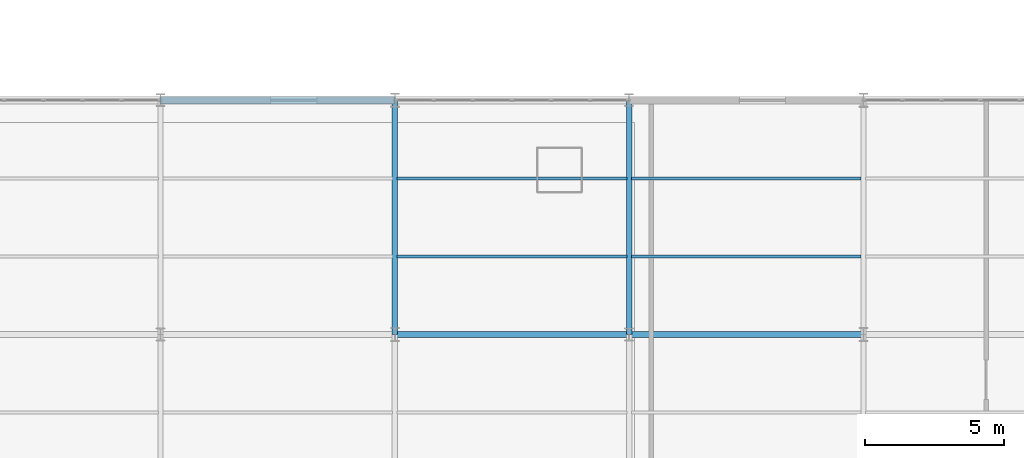
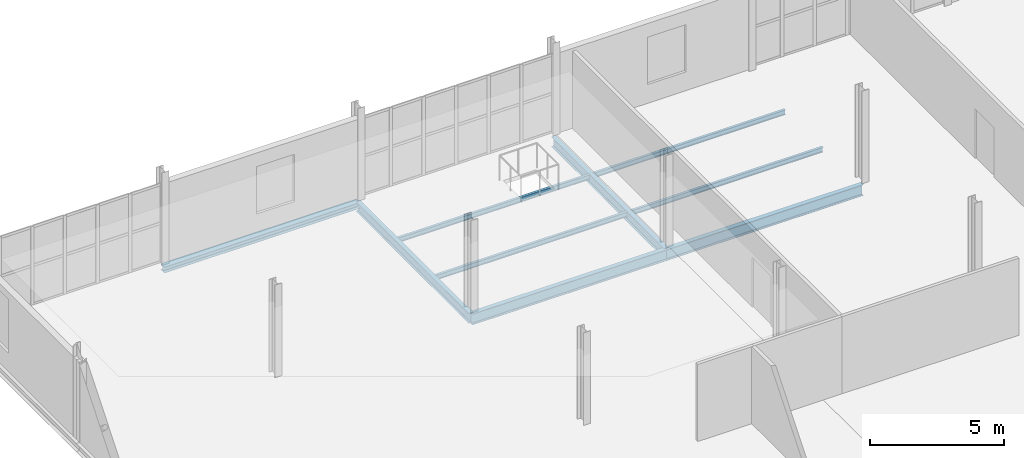
# One storey, part 26 of 65: 9 beams.
"""IFC4 building model written with IfcOpenShell, lengths in metres."""

from ifc_helpers import new_model, si_unit, direction, frame, origin, origin_2d, place, context, subcontext, project, spatial, i_section, extrude, material, material_profile, profile_set, type_object, element, save


model = new_model("IFC4")

# Units and contexts
model_context = context("Model", 3, precision=1e-05, world=origin(), true_north=direction((0.0, 1.0)))
body_context = subcontext(model_context, "Body", "Model", "MODEL_VIEW")
ifc_project = project(units=[si_unit("LENGTHUNIT", "METRE"), si_unit("AREAUNIT", "SQUARE_METRE"), si_unit("VOLUMEUNIT", "CUBIC_METRE"), si_unit("PLANEANGLEUNIT", "RADIAN"), si_unit("MASSUNIT", "GRAM", prefix="KILO")], contexts=[model_context])

# Site, building, storey
site_placement = place(None, origin())
site = spatial("IfcSite", under=ifc_project, at=site_placement, CompositionType="ELEMENT")
building_placement = place(site_placement, origin())
building = spatial("IfcBuilding", under=site, at=building_placement, Name="Qalvenar Corner Mobility Hub", CompositionType="ELEMENT")
storey_placement = place(building_placement, frame((0.0, 0.0, 17.39990234375)))
storey = spatial("IfcBuildingStorey", under=building, at=storey_placement, Name="L04", CompositionType="ELEMENT", Elevation=17.39990234375)

# Beams
ifc_material = material(Name="Steel S355", Category="steel")
ifc_material_profile_1 = material_profile(ifc_material, i_section(OverallWidth=0.18994140625, OverallDepth=0.449951171875, WebThickness=0.009521484375, FlangeThickness=0.0146484375, FilletRadius=0.02099609375, at=origin_2d()), Name="IPE450")
ifc_profile_set_1 = profile_set([ifc_material_profile_1], Name="Steel S355")
beam_type_1 = type_object("IfcBeamType", Name="BM-IPE450", PredefinedType="BEAM", material=ifc_profile_set_1)
for number, where, z_axis, x_axis, name in (
    (1, (16.800048828125, 33.60009765625, -0.40478515625), (0.0, 1.0, 0.0), (-1.0, 0.0, 0.0), "Primary Steel Girder GY-2641"),
    (2, (25.199951171875, 33.60009765625, -0.40478515625), (0.0, 1.0, 0.0), (-1.0, 0.0, 0.0), "Primary Steel Girder GY-2646"),
):
    element("IfcBeam", number, at=place(storey_placement, frame(where, z_axis=z_axis, x_axis=x_axis)), inside=storey, type_object=beam_type_1, Name=name, PredefinedType="BEAM", context=body_context, shape_type="SweptSolid", body=[
        extrude(i_section(OverallWidth=0.18994140625, OverallDepth=0.449951171875, WebThickness=0.009521484375, FlangeThickness=0.0146484375, FilletRadius=0.02099609375, at=origin_2d()), origin(), (0.0, 0.0, 1.0), 8.39990234375),
    ])
ifc_material_profile_2 = material_profile(ifc_material, i_section(OverallWidth=0.199951171875, OverallDepth=0.5, WebThickness=0.01025390625, FlangeThickness=0.01611328125, FilletRadius=0.02099609375, at=origin_2d()), Name="IPE500")
ifc_profile_set_2 = profile_set([ifc_material_profile_2], Name="Steel S355")
beam_type_2 = type_object("IfcBeamType", Name="BM-IPE500", PredefinedType="BEAM", material=ifc_profile_set_2)
beam_1_placement = place(storey_placement, frame((16.800048828125, 33.60009765625, -0.429931640625), z_axis=(1.0, 0.0, 0.0), x_axis=(0.0, 1.0, 0.0)))
element("IfcBeam", 3, at=beam_1_placement, inside=storey, type_object=beam_type_2, Name="Primary Steel Girder GX-2617", PredefinedType="BEAM", context=body_context, shape_type="SweptSolid", body=[
    extrude(i_section(OverallWidth=0.199951171875, OverallDepth=0.5, WebThickness=0.01025390625, FlangeThickness=0.01611328125, FilletRadius=0.02099609375, at=origin_2d()), origin(), (0.0, 0.0, 1.0), 8.39990234375),
])
beam_2_placement = place(storey_placement, frame((25.199951171875, 33.60009765625, -0.429931640625), z_axis=(1.0, 0.0, 0.0), x_axis=(0.0, 1.0, 0.0)))
element("IfcBeam", 4, at=beam_2_placement, inside=storey, type_object=beam_type_2, Name="Primary Steel Girder GX-2618", PredefinedType="BEAM", context=body_context, shape_type="SweptSolid", body=[
    extrude(i_section(OverallWidth=0.199951171875, OverallDepth=0.5, WebThickness=0.01025390625, FlangeThickness=0.01611328125, FilletRadius=0.02099609375, at=origin_2d()), origin(), (0.0, 0.0, 1.0), 8.400146484375),
])
ifc_material_profile_3 = material_profile(ifc_material, i_section(OverallWidth=0.110107421875, OverallDepth=0.219970703125, WebThickness=0.005859375, FlangeThickness=0.00927734375, FilletRadius=0.011962890625, at=origin_2d()), Name="IPE220")
ifc_profile_set_3 = profile_set([ifc_material_profile_3], Name="Steel S355")
beam_type_3 = type_object("IfcBeamType", Name="BM-JST220", PredefinedType="JOIST", material=ifc_profile_set_3)
for number, where, z_axis, x_axis, name in (
    (5, (16.8779296875, 36.39990234375, -0.289794921875), (1.0, 0.0, 0.0), (0.0, 1.0, 0.0), "Composite Floor Joist J-2689"),
    (6, (16.8779296875, 39.199951171875, -0.289794921875), (1.0, 0.0, 0.0), (0.0, 1.0, 0.0), "Composite Floor Joist J-2690"),
):
    element("IfcBeam", number, at=place(storey_placement, frame(where, z_axis=z_axis, x_axis=x_axis)), inside=storey, type_object=beam_type_3, Name=name, PredefinedType="JOIST", context=body_context, shape_type="SweptSolid", body=[
        extrude(i_section(OverallWidth=0.110107421875, OverallDepth=0.219970703125, WebThickness=0.005859375, FlangeThickness=0.00927734375, FilletRadius=0.011962890625, at=origin_2d()), origin(), (0.0, 0.0, 1.0), 8.244140625),
    ])
for number, where, z_axis, x_axis, name in (
    (7, (25.278076171875, 36.39990234375, -0.289794921875), (1.0, 0.0, 0.0), (0.0, 1.0, 0.0), "Composite Floor Joist J-2699"),
    (8, (25.278076171875, 39.199951171875, -0.289794921875), (1.0, 0.0, 0.0), (0.0, 1.0, 0.0), "Composite Floor Joist J-2700"),
):
    element("IfcBeam", number, at=place(storey_placement, frame(where, z_axis=z_axis, x_axis=x_axis)), inside=storey, type_object=beam_type_3, Name=name, PredefinedType="JOIST", context=body_context, shape_type="SweptSolid", body=[
        extrude(i_section(OverallWidth=0.110107421875, OverallDepth=0.219970703125, WebThickness=0.005859375, FlangeThickness=0.00927734375, FilletRadius=0.011962890625, at=origin_2d()), origin(), (0.0, 0.0, 1.0), 8.243896484375),
    ])
ifc_material_profile_4 = material_profile(ifc_material, i_section(OverallWidth=0.280029296875, OverallDepth=0.27001953125, WebThickness=0.008056640625, FlangeThickness=0.012939453125, FilletRadius=0.02392578125, at=origin_2d()), Name="HEA280")
ifc_profile_set_4 = profile_set([ifc_material_profile_4], Name="Steel S355")
beam_type_4 = type_object("IfcBeamType", Name="BM-SPN280", PredefinedType="SPANDREL", material=ifc_profile_set_4)
beam_3_placement = place(storey_placement, frame((8.39990234375, 42.0, -0.31494140625), z_axis=(1.0, 0.0, 0.0), x_axis=(0.0, 1.0, 0.0)))
element("IfcBeam", 9, at=beam_3_placement, inside=storey, type_object=beam_type_4, Name="Primary Steel Girder GX-2622", PredefinedType="SPANDREL", context=body_context, shape_type="SweptSolid", body=[
    extrude(i_section(OverallWidth=0.280029296875, OverallDepth=0.27001953125, WebThickness=0.008056640625, FlangeThickness=0.012939453125, FilletRadius=0.02392578125, at=origin_2d()), origin(), (0.0, 0.0, 1.0), 8.400146484375),
])

save(model, "model.ifc")
